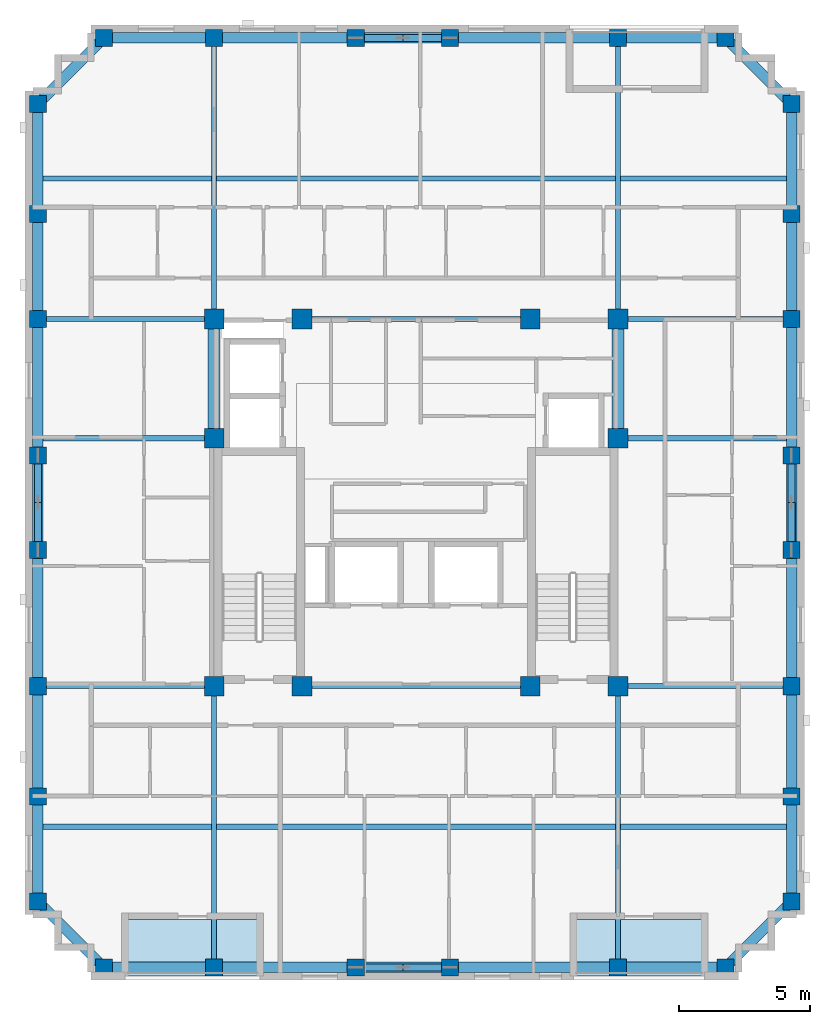
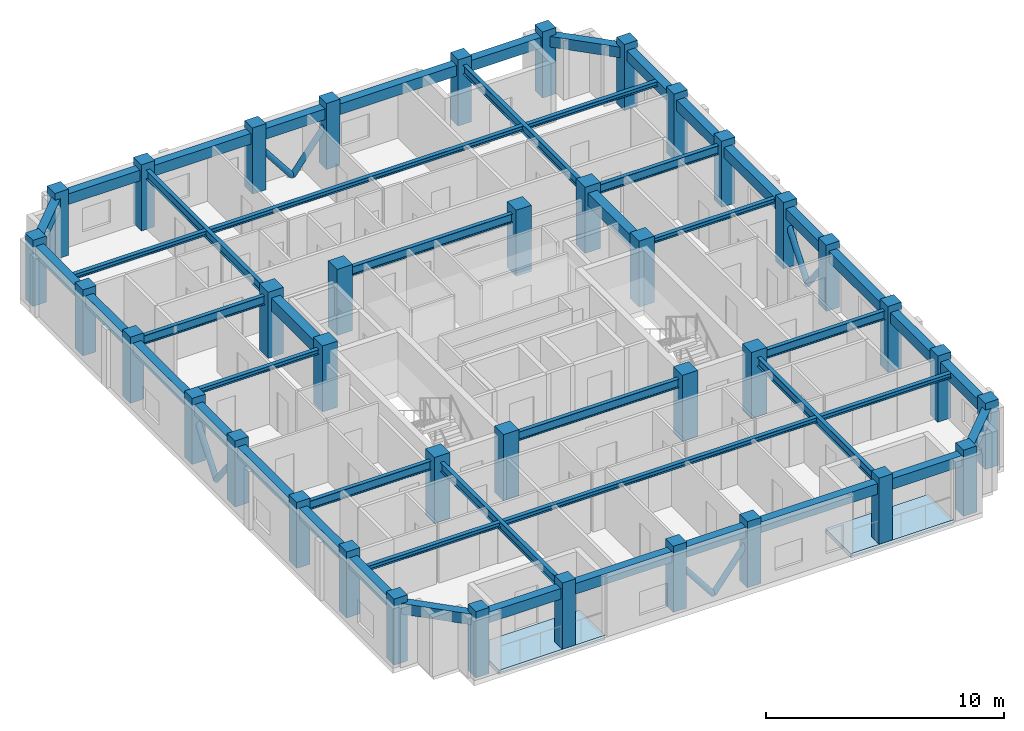
# One storey, part 1 of 11: 48 beams, 38 columns, 8 members, 2 slabs.
"""IFC4 building model written with IfcOpenShell, lengths in metres."""

from ifc_helpers import new_model, si_unit, derived_unit, direction, frame, origin, origin_2d, place, context, subcontext, project, spatial, polyline, rectangle, hollow_circle, i_section, outline, extrude, material, layer, layer_set, material_profile, profile_set, type_object, element, save


model = new_model("IFC4")

# Units and contexts
model_context = context("Model", 3, precision=1e-05, world=origin(), true_north=direction((0.0, 1.0)))
body_context = subcontext(model_context, "Body", "Model", "MODEL_VIEW")
ifc_project = project(units=[si_unit("LENGTHUNIT", "METRE"), si_unit("AREAUNIT", "SQUARE_METRE"), si_unit("VOLUMEUNIT", "CUBIC_METRE"), si_unit("PLANEANGLEUNIT", "RADIAN"), si_unit("MASSUNIT", "GRAM", prefix="KILO"), derived_unit("THERMALTRANSMITTANCEUNIT", [(si_unit("MASSUNIT", "GRAM", prefix="KILO"), 1), (si_unit("TIMEUNIT", "SECOND"), -3), (si_unit("THERMODYNAMICTEMPERATUREUNIT", "KELVIN"), -1)])], contexts=[model_context])

# Site, building, storey
site_placement = place(None, origin())
site = spatial("IfcSite", under=ifc_project, at=site_placement, CompositionType="ELEMENT")
building_placement = place(site_placement, origin())
building = spatial("IfcBuilding", under=site, at=building_placement, Name="Korrvale Station Residences", CompositionType="ELEMENT")
storey_placement = place(building_placement, frame((0.0, 0.0, 258.10009765625)))
storey = spatial("IfcBuildingStorey", under=building, at=storey_placement, Name="L75", CompositionType="ELEMENT", Elevation=258.10009765625)

# Columns
ifc_material_1 = material(Name="Concrete C50/60", Category="concrete")
ifc_material_profile_1 = material_profile(ifc_material_1, rectangle(XDim=0.64990234375, YDim=0.64990234375, at=origin_2d()), Name="RC650x650")
ifc_profile_set_1 = profile_set([ifc_material_profile_1], Name="Concrete C50/60")
column_type_1 = type_object("IfcColumnType", Name="COL-C-RC650x650-C5060", PredefinedType="COLUMN", material=ifc_profile_set_1)
for number, where, z_axis, x_axis, name in (
    (1, (13.60009765625, 4.280029296875, 0.0), (0.0, 0.0, 1.0), (1.0, 0.0, 0.0), "L75 Bundled-Tube South Column 01"),
    (2, (17.800048828125, 4.280029296875, 0.0), (0.0, 0.0, 1.0), (1.0, 0.0, 0.0), "L75 Bundled-Tube South Column 02"),
    (3, (23.199951171875, 4.280029296875, 0.0), (0.0, 0.0, 1.0), (1.0, 0.0, 0.0), "L75 Bundled-Tube South Column 03"),
    (4, (26.800048828125, 4.280029296875, 0.0), (0.0, 0.0, 1.0), (1.0, 0.0, 0.0), "L75 Bundled-Tube South Column 04"),
    (5, (33.199951171875, 4.280029296875, 0.0), (0.0, 0.0, 1.0), (1.0, 0.0, 0.0), "L75 Bundled-Tube South Column 05"),
    (6, (37.300048828125, 4.280029296875, 0.0), (0.0, 0.0, 1.0), (1.0, 0.0, 0.0), "L75 Bundled-Tube South Column 06"),
    (7, (13.60009765625, 39.719970703125, 0.0), (0.0, 0.0, 1.0), (1.0, 0.0, 0.0), "L75 Bundled-Tube North Column 07"),
    (8, (17.800048828125, 39.719970703125, 0.0), (0.0, 0.0, 1.0), (1.0, 0.0, 0.0), "L75 Bundled-Tube North Column 08"),
    (9, (23.199951171875, 39.719970703125, 0.0), (0.0, 0.0, 1.0), (1.0, 0.0, 0.0), "L75 Bundled-Tube North Column 09"),
    (10, (26.800048828125, 39.719970703125, 0.0), (0.0, 0.0, 1.0), (1.0, 0.0, 0.0), "L75 Bundled-Tube North Column 10"),
    (11, (33.199951171875, 39.719970703125, 0.0), (0.0, 0.0, 1.0), (1.0, 0.0, 0.0), "L75 Bundled-Tube North Column 11"),
    (12, (37.300048828125, 39.719970703125, 0.0), (0.0, 0.0, 1.0), (1.0, 0.0, 0.0), "L75 Bundled-Tube North Column 12"),
    (13, (11.080078125, 6.800048828125, 0.0), (0.0, 0.0, 1.0), (1.0, 0.0, 0.0), "L75 Bundled-Tube West Column 13"),
    (14, (11.080078125, 10.800048828125, 0.0), (0.0, 0.0, 1.0), (1.0, 0.0, 0.0), "L75 Bundled-Tube West Column 14"),
    (15, (11.080078125, 15.0, 0.0), (0.0, 0.0, 1.0), (1.0, 0.0, 0.0), "L75 Bundled-Tube West Column 15"),
    (16, (11.080078125, 20.199951171875, 0.0), (0.0, 0.0, 1.0), (1.0, 0.0, 0.0), "L75 Bundled-Tube West Column 16"),
    (17, (11.080078125, 23.800048828125, 0.0), (0.0, 0.0, 1.0), (1.0, 0.0, 0.0), "L75 Bundled-Tube West Column 17"),
    (18, (11.080078125, 29.0, 0.0), (0.0, 0.0, 1.0), (1.0, 0.0, 0.0), "L75 Bundled-Tube West Column 18"),
    (19, (11.080078125, 33.0, 0.0), (0.0, 0.0, 1.0), (1.0, 0.0, 0.0), "L75 Bundled-Tube West Column 19"),
    (20, (11.080078125, 37.199951171875, 0.0), (0.0, 0.0, 1.0), (1.0, 0.0, 0.0), "L75 Bundled-Tube West Column 20"),
    (21, (39.820068359375, 6.800048828125, 0.0), (0.0, 0.0, 1.0), (1.0, 0.0, 0.0), "L75 Bundled-Tube East Column 21"),
    (22, (39.820068359375, 10.800048828125, 0.0), (0.0, 0.0, 1.0), (1.0, 0.0, 0.0), "L75 Bundled-Tube East Column 22"),
    (23, (39.820068359375, 15.0, 0.0), (0.0, 0.0, 1.0), (1.0, 0.0, 0.0), "L75 Bundled-Tube East Column 23"),
    (24, (39.820068359375, 20.199951171875, 0.0), (0.0, 0.0, 1.0), (1.0, 0.0, 0.0), "L75 Bundled-Tube East Column 24"),
    (25, (39.820068359375, 23.800048828125, 0.0), (0.0, 0.0, 1.0), (1.0, 0.0, 0.0), "L75 Bundled-Tube East Column 25"),
    (26, (39.820068359375, 29.0, 0.0), (0.0, 0.0, 1.0), (1.0, 0.0, 0.0), "L75 Bundled-Tube East Column 26"),
    (27, (39.820068359375, 33.0, 0.0), (0.0, 0.0, 1.0), (1.0, 0.0, 0.0), "L75 Bundled-Tube East Column 27"),
    (28, (39.820068359375, 37.199951171875, 0.0), (0.0, 0.0, 1.0), (1.0, 0.0, 0.0), "L75 Bundled-Tube East Column 28"),
):
    element("IfcColumn", number, at=place(storey_placement, frame(where, z_axis=z_axis, x_axis=x_axis)), inside=storey, type_object=column_type_1, Name=name, PredefinedType="COLUMN", context=body_context, shape_type="SweptSolid", body=[
        extrude(rectangle(XDim=0.64990234375, YDim=0.64990234375, at=origin_2d()), origin(), (0.0, 0.0, 1.0), 3.39990234375),
    ])
ifc_material_profile_2 = material_profile(ifc_material_1, rectangle(XDim=0.75, YDim=0.75, at=origin_2d()), Name="RC750x750")
ifc_profile_set_2 = profile_set([ifc_material_profile_2], Name="Concrete C50/60")
column_type_2 = type_object("IfcColumnType", Name="COL-C-RC750x750-C5060", PredefinedType="COLUMN", material=ifc_profile_set_2)
for number, where, z_axis, x_axis, name in (
    (29, (17.800048828125, 15.0, 0.0), (0.0, 0.0, 1.0), (1.0, 0.0, 0.0), "L75 Core Column 01"),
    (30, (21.14990234375, 15.0, 0.0), (0.0, 0.0, 1.0), (1.0, 0.0, 0.0), "L75 Core Column 02"),
    (31, (29.85009765625, 15.0, 0.0), (0.0, 0.0, 1.0), (1.0, 0.0, 0.0), "L75 Core Column 03"),
    (32, (33.199951171875, 15.0, 0.0), (0.0, 0.0, 1.0), (1.0, 0.0, 0.0), "L75 Core Column 04"),
    (33, (17.800048828125, 29.0, 0.0), (0.0, 0.0, 1.0), (1.0, 0.0, 0.0), "L75 Core Column 05"),
    (34, (21.14990234375, 29.0, 0.0), (0.0, 0.0, 1.0), (1.0, 0.0, 0.0), "L75 Core Column 06"),
    (35, (29.85009765625, 29.0, 0.0), (0.0, 0.0, 1.0), (1.0, 0.0, 0.0), "L75 Core Column 07"),
    (36, (33.199951171875, 29.0, 0.0), (0.0, 0.0, 1.0), (1.0, 0.0, 0.0), "L75 Core Column 08"),
    (37, (17.800048828125, 24.449951171875, 0.0), (0.0, 0.0, 1.0), (1.0, 0.0, 0.0), "L75 Core Column 09"),
    (38, (33.199951171875, 24.449951171875, 0.0), (0.0, 0.0, 1.0), (1.0, 0.0, 0.0), "L75 Core Column 10"),
):
    element("IfcColumn", number, at=place(storey_placement, frame(where, z_axis=z_axis, x_axis=x_axis)), inside=storey, type_object=column_type_2, Name=name, PredefinedType="COLUMN", context=body_context, shape_type="SweptSolid", body=[
        extrude(rectangle(XDim=0.75, YDim=0.75, at=origin_2d()), origin(), (0.0, 0.0, 1.0), 3.39990234375),
    ])

# Beams
ifc_material_2 = material(Name="Steel S355", Category="steel")
ifc_material_profile_3 = material_profile(ifc_material_2, i_section(OverallWidth=0.18994140625, OverallDepth=0.45703125, WebThickness=0.009033203125, FlangeThickness=0.014404296875, FilletRadius=0.01611328125, at=origin_2d()), Name="W460x74")
ifc_profile_set_3 = profile_set([ifc_material_profile_3], Name="Steel S355")
beam_type_1 = type_object("IfcBeamType", Name="BM-BM-W460x74-S355", PredefinedType="BEAM", material=ifc_profile_set_3)
for number, where, z_axis, x_axis, name in (
    (39, (17.800048828125, 4.280029296875, 2.8212890625), (0.0, 1.0, 0.0), (-1.0, 0.0, 0.0), "L75 Bundled-Tube Web Girder 01"),
    (40, (33.199951171875, 4.280029296875, 2.8212890625), (0.0, 1.0, 0.0), (-1.0, 0.0, 0.0), "L75 Bundled-Tube Web Girder 02"),
    (41, (17.800048828125, 29.0, 2.8212890625), (0.0, 1.0, 0.0), (-1.0, 0.0, 0.0), "L75 Bundled-Tube Web Girder 03"),
    (42, (33.199951171875, 29.0, 2.8212890625), (0.0, 1.0, 0.0), (-1.0, 0.0, 0.0), "L75 Bundled-Tube Web Girder 04"),
):
    element("IfcBeam", number, at=place(storey_placement, frame(where, z_axis=z_axis, x_axis=x_axis)), inside=storey, type_object=beam_type_1, Name=name, PredefinedType="BEAM", context=body_context, shape_type="SweptSolid", body=[
        extrude(i_section(OverallWidth=0.18994140625, OverallDepth=0.45703125, WebThickness=0.009033203125, FlangeThickness=0.014404296875, FilletRadius=0.01611328125, at=origin_2d()), origin(), (0.0, 0.0, 1.0), 10.719970703125),
    ])
beam_1_placement = place(storey_placement, frame((11.080078125, 15.0, 2.8212890625), z_axis=(1.0, 0.0, 0.0), x_axis=(0.0, 1.0, 0.0)))
element("IfcBeam", 43, at=beam_1_placement, inside=storey, type_object=beam_type_1, Name="L75 Bundled-Tube Web Girder 05", PredefinedType="BEAM", context=body_context, shape_type="SweptSolid", body=[
    extrude(i_section(OverallWidth=0.18994140625, OverallDepth=0.45703125, WebThickness=0.009033203125, FlangeThickness=0.014404296875, FilletRadius=0.01611328125, at=origin_2d()), origin(), (0.0, 0.0, 1.0), 6.719970703125),
])
beam_2_placement = place(storey_placement, frame((33.199951171875, 15.0, 2.8212890625), z_axis=(1.0, 0.0, 0.0), x_axis=(0.0, 1.0, 0.0)))
element("IfcBeam", 44, at=beam_2_placement, inside=storey, type_object=beam_type_1, Name="L75 Bundled-Tube Web Girder 06", PredefinedType="BEAM", context=body_context, shape_type="SweptSolid", body=[
    extrude(i_section(OverallWidth=0.18994140625, OverallDepth=0.45703125, WebThickness=0.009033203125, FlangeThickness=0.014404296875, FilletRadius=0.01611328125, at=origin_2d()), origin(), (0.0, 0.0, 1.0), 6.6201171875),
])
beam_3_placement = place(storey_placement, frame((11.080078125, 29.0, 2.8212890625), z_axis=(1.0, 0.0, 0.0), x_axis=(0.0, 1.0, 0.0)))
element("IfcBeam", 45, at=beam_3_placement, inside=storey, type_object=beam_type_1, Name="L75 Bundled-Tube Web Girder 07", PredefinedType="BEAM", context=body_context, shape_type="SweptSolid", body=[
    extrude(i_section(OverallWidth=0.18994140625, OverallDepth=0.45703125, WebThickness=0.009033203125, FlangeThickness=0.014404296875, FilletRadius=0.01611328125, at=origin_2d()), origin(), (0.0, 0.0, 1.0), 6.719970703125),
])
beam_4_placement = place(storey_placement, frame((33.199951171875, 29.0, 2.8212890625), z_axis=(1.0, 0.0, 0.0), x_axis=(0.0, 1.0, 0.0)))
element("IfcBeam", 46, at=beam_4_placement, inside=storey, type_object=beam_type_1, Name="L75 Bundled-Tube Web Girder 08", PredefinedType="BEAM", context=body_context, shape_type="SweptSolid", body=[
    extrude(i_section(OverallWidth=0.18994140625, OverallDepth=0.45703125, WebThickness=0.009033203125, FlangeThickness=0.014404296875, FilletRadius=0.01611328125, at=origin_2d()), origin(), (0.0, 0.0, 1.0), 6.6201171875),
])
for number, where, z_axis, x_axis, name in (
    (47, (21.14990234375, 15.0, 2.8212890625), (1.0, 0.0, 0.0), (0.0, 1.0, 0.0), "L75 Bundled-Tube Web Girder 09"),
    (48, (21.14990234375, 29.0, 2.8212890625), (1.0, 0.0, 0.0), (0.0, 1.0, 0.0), "L75 Bundled-Tube Web Girder 10"),
):
    element("IfcBeam", number, at=place(storey_placement, frame(where, z_axis=z_axis, x_axis=x_axis)), inside=storey, type_object=beam_type_1, Name=name, PredefinedType="BEAM", context=body_context, shape_type="SweptSolid", body=[
        extrude(i_section(OverallWidth=0.18994140625, OverallDepth=0.45703125, WebThickness=0.009033203125, FlangeThickness=0.014404296875, FilletRadius=0.01611328125, at=origin_2d()), origin(), (0.0, 0.0, 1.0), 8.7001953125),
    ])
ifc_material_profile_4 = material_profile(ifc_material_2, i_section(OverallWidth=0.201904296875, OverallDepth=0.2470703125, WebThickness=0.00732421875, FlangeThickness=0.010986328125, FilletRadius=0.012939453125, at=origin_2d()), Name="W250x49")
ifc_profile_set_4 = profile_set([ifc_material_profile_4], Name="Steel S355")
beam_type_2 = type_object("IfcBeamType", Name="BM-JST-W250x49-S355", PredefinedType="JOIST", material=ifc_profile_set_4)
beam_5_placement = place(storey_placement, frame((11.280029296875, 9.639892578125, 2.926513671875), z_axis=(1.0, 0.0, 0.0), x_axis=(0.0, 1.0, 0.0)))
element("IfcBeam", 49, at=beam_5_placement, inside=storey, type_object=beam_type_2, Name="L75 Floor Framing Joist 01", PredefinedType="JOIST", context=body_context, shape_type="SweptSolid", body=[
    extrude(i_section(OverallWidth=0.201904296875, OverallDepth=0.2470703125, WebThickness=0.00732421875, FlangeThickness=0.010986328125, FilletRadius=0.012939453125, at=origin_2d()), origin(), (0.0, 0.0, 1.0), 6.425048828125),
])
beam_6_placement = place(storey_placement, frame((17.89501953125, 9.639892578125, 2.926513671875), z_axis=(1.0, 0.0, 0.0), x_axis=(0.0, 1.0, 0.0)))
element("IfcBeam", 50, at=beam_6_placement, inside=storey, type_object=beam_type_2, Name="L75 Floor Framing Joist 02", PredefinedType="JOIST", context=body_context, shape_type="SweptSolid", body=[
    extrude(i_section(OverallWidth=0.201904296875, OverallDepth=0.2470703125, WebThickness=0.00732421875, FlangeThickness=0.010986328125, FilletRadius=0.012939453125, at=origin_2d()), origin(), (0.0, 0.0, 1.0), 15.2099609375),
])
beam_7_placement = place(storey_placement, frame((33.294921875, 9.639892578125, 2.926513671875), z_axis=(1.0, 0.0, 0.0), x_axis=(0.0, 1.0, 0.0)))
element("IfcBeam", 51, at=beam_7_placement, inside=storey, type_object=beam_type_2, Name="L75 Floor Framing Joist 03", PredefinedType="JOIST", context=body_context, shape_type="SweptSolid", body=[
    extrude(i_section(OverallWidth=0.201904296875, OverallDepth=0.2470703125, WebThickness=0.00732421875, FlangeThickness=0.010986328125, FilletRadius=0.012939453125, at=origin_2d()), origin(), (0.0, 0.0, 1.0), 6.3251953125),
])
beam_8_placement = place(storey_placement, frame((11.280029296875, 34.360107421875, 2.926513671875), z_axis=(1.0, 0.0, 0.0), x_axis=(0.0, 1.0, 0.0)))
element("IfcBeam", 52, at=beam_8_placement, inside=storey, type_object=beam_type_2, Name="L75 Floor Framing Joist 04", PredefinedType="JOIST", context=body_context, shape_type="SweptSolid", body=[
    extrude(i_section(OverallWidth=0.201904296875, OverallDepth=0.2470703125, WebThickness=0.00732421875, FlangeThickness=0.010986328125, FilletRadius=0.012939453125, at=origin_2d()), origin(), (0.0, 0.0, 1.0), 6.425048828125),
])
beam_9_placement = place(storey_placement, frame((17.89501953125, 34.360107421875, 2.926513671875), z_axis=(1.0, 0.0, 0.0), x_axis=(0.0, 1.0, 0.0)))
element("IfcBeam", 53, at=beam_9_placement, inside=storey, type_object=beam_type_2, Name="L75 Floor Framing Joist 05", PredefinedType="JOIST", context=body_context, shape_type="SweptSolid", body=[
    extrude(i_section(OverallWidth=0.201904296875, OverallDepth=0.2470703125, WebThickness=0.00732421875, FlangeThickness=0.010986328125, FilletRadius=0.012939453125, at=origin_2d()), origin(), (0.0, 0.0, 1.0), 15.2099609375),
])
beam_10_placement = place(storey_placement, frame((33.294921875, 34.360107421875, 2.926513671875), z_axis=(1.0, 0.0, 0.0), x_axis=(0.0, 1.0, 0.0)))
element("IfcBeam", 54, at=beam_10_placement, inside=storey, type_object=beam_type_2, Name="L75 Floor Framing Joist 06", PredefinedType="JOIST", context=body_context, shape_type="SweptSolid", body=[
    extrude(i_section(OverallWidth=0.201904296875, OverallDepth=0.2470703125, WebThickness=0.00732421875, FlangeThickness=0.010986328125, FilletRadius=0.012939453125, at=origin_2d()), origin(), (0.0, 0.0, 1.0), 6.3251953125),
])
beam_11_placement = place(storey_placement, frame((33.425048828125, 24.449951171875, 2.926513671875), z_axis=(1.0, 0.0, 0.0), x_axis=(0.0, 1.0, 0.0)))
element("IfcBeam", 55, at=beam_11_placement, inside=storey, type_object=beam_type_2, Name="L75 Floor Framing Joist 07", PredefinedType="JOIST", context=body_context, shape_type="SweptSolid", body=[
    extrude(i_section(OverallWidth=0.201904296875, OverallDepth=0.2470703125, WebThickness=0.00732421875, FlangeThickness=0.010986328125, FilletRadius=0.012939453125, at=origin_2d()), origin(), (0.0, 0.0, 1.0), 6.195068359375),
])
beam_12_placement = place(storey_placement, frame((11.280029296875, 24.449951171875, 2.926513671875), z_axis=(1.0, 0.0, 0.0), x_axis=(0.0, 1.0, 0.0)))
element("IfcBeam", 56, at=beam_12_placement, inside=storey, type_object=beam_type_2, Name="L75 Floor Framing Joist 08", PredefinedType="JOIST", context=body_context, shape_type="SweptSolid", body=[
    extrude(i_section(OverallWidth=0.201904296875, OverallDepth=0.2470703125, WebThickness=0.00732421875, FlangeThickness=0.010986328125, FilletRadius=0.012939453125, at=origin_2d()), origin(), (0.0, 0.0, 1.0), 6.294921875),
])
ifc_material_profile_5 = material_profile(ifc_material_1, rectangle(XDim=0.449951171875, YDim=0.64990234375, at=origin_2d()), Name="RCB450x650")
ifc_profile_set_5 = profile_set([ifc_material_profile_5], Name="Concrete C50/60")
beam_type_3 = type_object("IfcBeamType", Name="BM-LNT-RCB450x650-C5060", PredefinedType="LINTEL", material=ifc_profile_set_5)
for number, where, z_axis, x_axis, name in (
    (57, (17.800048828125, 24.449951171875, 2.724853515625), (0.0, 1.0, 0.0), (-1.0, 0.0, 0.0), "L75 Core Coupling Lintel 1"),
    (58, (33.199951171875, 24.449951171875, 2.724853515625), (0.0, 1.0, 0.0), (-1.0, 0.0, 0.0), "L75 Core Coupling Lintel 2"),
):
    element("IfcBeam", number, at=place(storey_placement, frame(where, z_axis=z_axis, x_axis=x_axis)), inside=storey, type_object=beam_type_3, Name=name, PredefinedType="LINTEL", context=body_context, shape_type="SweptSolid", body=[
        extrude(rectangle(XDim=0.449951171875, YDim=0.64990234375, at=origin_2d()), origin(), (0.0, 0.0, 1.0), 4.550048828125),
    ])
ifc_material_profile_6 = material_profile(ifc_material_1, rectangle(XDim=0.39990234375, YDim=0.550048828125, at=origin_2d()), Name="RCB400x550")
ifc_profile_set_6 = profile_set([ifc_material_profile_6], Name="Concrete C50/60")
beam_type_4 = type_object("IfcBeamType", Name="BM-SPB-RCB400x550-C5060", PredefinedType="SPANDREL", material=ifc_profile_set_6)
beam_13_placement = place(storey_placement, frame((13.60009765625, 4.280029296875, 2.77490234375), z_axis=(1.0, 0.0, 0.0), x_axis=(0.0, 1.0, 0.0)))
element("IfcBeam", 59, at=beam_13_placement, inside=storey, type_object=beam_type_4, Name="L75 South Tube Spandrel 01", PredefinedType="SPANDREL", context=body_context, shape_type="SweptSolid", body=[
    extrude(rectangle(XDim=0.39990234375, YDim=0.550048828125, at=origin_2d()), origin(), (0.0, 0.0, 1.0), 4.199951171875),
])
beam_14_placement = place(storey_placement, frame((17.800048828125, 4.280029296875, 2.77490234375), z_axis=(1.0, 0.0, 0.0), x_axis=(0.0, 1.0, 0.0)))
element("IfcBeam", 60, at=beam_14_placement, inside=storey, type_object=beam_type_4, Name="L75 South Tube Spandrel 02", PredefinedType="SPANDREL", context=body_context, shape_type="SweptSolid", body=[
    extrude(rectangle(XDim=0.39990234375, YDim=0.550048828125, at=origin_2d()), origin(), (0.0, 0.0, 1.0), 5.39990234375),
])
beam_15_placement = place(storey_placement, frame((23.199951171875, 4.280029296875, 2.77490234375), z_axis=(1.0, 0.0, 0.0), x_axis=(0.0, 1.0, 0.0)))
element("IfcBeam", 61, at=beam_15_placement, inside=storey, type_object=beam_type_4, Name="L75 South Tube Spandrel 03", PredefinedType="SPANDREL", context=body_context, shape_type="SweptSolid", body=[
    extrude(rectangle(XDim=0.39990234375, YDim=0.550048828125, at=origin_2d()), origin(), (0.0, 0.0, 1.0), 3.60009765625),
])
beam_16_placement = place(storey_placement, frame((26.800048828125, 4.280029296875, 2.77490234375), z_axis=(1.0, 0.0, 0.0), x_axis=(0.0, 1.0, 0.0)))
element("IfcBeam", 62, at=beam_16_placement, inside=storey, type_object=beam_type_4, Name="L75 South Tube Spandrel 04", PredefinedType="SPANDREL", context=body_context, shape_type="SweptSolid", body=[
    extrude(rectangle(XDim=0.39990234375, YDim=0.550048828125, at=origin_2d()), origin(), (0.0, 0.0, 1.0), 6.39990234375),
])
beam_17_placement = place(storey_placement, frame((33.199951171875, 4.280029296875, 2.77490234375), z_axis=(1.0, 0.0, 0.0), x_axis=(0.0, 1.0, 0.0)))
element("IfcBeam", 63, at=beam_17_placement, inside=storey, type_object=beam_type_4, Name="L75 South Tube Spandrel 05", PredefinedType="SPANDREL", context=body_context, shape_type="SweptSolid", body=[
    extrude(rectangle(XDim=0.39990234375, YDim=0.550048828125, at=origin_2d()), origin(), (0.0, 0.0, 1.0), 4.10009765625),
])
beam_18_placement = place(storey_placement, frame((13.60009765625, 39.719970703125, 2.77490234375), z_axis=(1.0, 0.0, 0.0), x_axis=(0.0, 1.0, 0.0)))
element("IfcBeam", 64, at=beam_18_placement, inside=storey, type_object=beam_type_4, Name="L75 North Tube Spandrel 06", PredefinedType="SPANDREL", context=body_context, shape_type="SweptSolid", body=[
    extrude(rectangle(XDim=0.39990234375, YDim=0.550048828125, at=origin_2d()), origin(), (0.0, 0.0, 1.0), 4.199951171875),
])
beam_19_placement = place(storey_placement, frame((17.800048828125, 39.719970703125, 2.77490234375), z_axis=(1.0, 0.0, 0.0), x_axis=(0.0, 1.0, 0.0)))
element("IfcBeam", 65, at=beam_19_placement, inside=storey, type_object=beam_type_4, Name="L75 North Tube Spandrel 07", PredefinedType="SPANDREL", context=body_context, shape_type="SweptSolid", body=[
    extrude(rectangle(XDim=0.39990234375, YDim=0.550048828125, at=origin_2d()), origin(), (0.0, 0.0, 1.0), 5.39990234375),
])
beam_20_placement = place(storey_placement, frame((23.199951171875, 39.719970703125, 2.77490234375), z_axis=(1.0, 0.0, 0.0), x_axis=(0.0, 1.0, 0.0)))
element("IfcBeam", 66, at=beam_20_placement, inside=storey, type_object=beam_type_4, Name="L75 North Tube Spandrel 08", PredefinedType="SPANDREL", context=body_context, shape_type="SweptSolid", body=[
    extrude(rectangle(XDim=0.39990234375, YDim=0.550048828125, at=origin_2d()), origin(), (0.0, 0.0, 1.0), 3.60009765625),
])
beam_21_placement = place(storey_placement, frame((26.800048828125, 39.719970703125, 2.77490234375), z_axis=(1.0, 0.0, 0.0), x_axis=(0.0, 1.0, 0.0)))
element("IfcBeam", 67, at=beam_21_placement, inside=storey, type_object=beam_type_4, Name="L75 North Tube Spandrel 09", PredefinedType="SPANDREL", context=body_context, shape_type="SweptSolid", body=[
    extrude(rectangle(XDim=0.39990234375, YDim=0.550048828125, at=origin_2d()), origin(), (0.0, 0.0, 1.0), 6.39990234375),
])
beam_22_placement = place(storey_placement, frame((33.199951171875, 39.719970703125, 2.77490234375), z_axis=(1.0, 0.0, 0.0), x_axis=(0.0, 1.0, 0.0)))
element("IfcBeam", 68, at=beam_22_placement, inside=storey, type_object=beam_type_4, Name="L75 North Tube Spandrel 10", PredefinedType="SPANDREL", context=body_context, shape_type="SweptSolid", body=[
    extrude(rectangle(XDim=0.39990234375, YDim=0.550048828125, at=origin_2d()), origin(), (0.0, 0.0, 1.0), 4.10009765625),
])
beam_23_placement = place(storey_placement, frame((11.080078125, 6.800048828125, 2.77490234375), z_axis=(0.0, 1.0, 0.0), x_axis=(-1.0, 0.0, 0.0)))
element("IfcBeam", 69, at=beam_23_placement, inside=storey, type_object=beam_type_4, Name="L75 West Tube Spandrel 11", PredefinedType="SPANDREL", context=body_context, shape_type="SweptSolid", body=[
    extrude(rectangle(XDim=0.39990234375, YDim=0.550048828125, at=origin_2d()), origin(), (0.0, 0.0, 1.0), 4.0),
])
beam_24_placement = place(storey_placement, frame((11.080078125, 10.800048828125, 2.77490234375), z_axis=(0.0, 1.0, 0.0), x_axis=(-1.0, 0.0, 0.0)))
element("IfcBeam", 70, at=beam_24_placement, inside=storey, type_object=beam_type_4, Name="L75 West Tube Spandrel 12", PredefinedType="SPANDREL", context=body_context, shape_type="SweptSolid", body=[
    extrude(rectangle(XDim=0.39990234375, YDim=0.550048828125, at=origin_2d()), origin(), (0.0, 0.0, 1.0), 4.199951171875),
])
beam_25_placement = place(storey_placement, frame((11.080078125, 15.0, 2.77490234375), z_axis=(0.0, 1.0, 0.0), x_axis=(-1.0, 0.0, 0.0)))
element("IfcBeam", 71, at=beam_25_placement, inside=storey, type_object=beam_type_4, Name="L75 West Tube Spandrel 13", PredefinedType="SPANDREL", context=body_context, shape_type="SweptSolid", body=[
    extrude(rectangle(XDim=0.39990234375, YDim=0.550048828125, at=origin_2d()), origin(), (0.0, 0.0, 1.0), 5.199951171875),
])
beam_26_placement = place(storey_placement, frame((11.080078125, 20.199951171875, 2.77490234375), z_axis=(0.0, 1.0, 0.0), x_axis=(-1.0, 0.0, 0.0)))
element("IfcBeam", 72, at=beam_26_placement, inside=storey, type_object=beam_type_4, Name="L75 West Tube Spandrel 14", PredefinedType="SPANDREL", context=body_context, shape_type="SweptSolid", body=[
    extrude(rectangle(XDim=0.39990234375, YDim=0.550048828125, at=origin_2d()), origin(), (0.0, 0.0, 1.0), 3.60009765625),
])
beam_27_placement = place(storey_placement, frame((11.080078125, 23.800048828125, 2.77490234375), z_axis=(0.0, 1.0, 0.0), x_axis=(-1.0, 0.0, 0.0)))
element("IfcBeam", 73, at=beam_27_placement, inside=storey, type_object=beam_type_4, Name="L75 West Tube Spandrel 15", PredefinedType="SPANDREL", context=body_context, shape_type="SweptSolid", body=[
    extrude(rectangle(XDim=0.39990234375, YDim=0.550048828125, at=origin_2d()), origin(), (0.0, 0.0, 1.0), 5.199951171875),
])
beam_28_placement = place(storey_placement, frame((11.080078125, 29.0, 2.77490234375), z_axis=(0.0, 1.0, 0.0), x_axis=(-1.0, 0.0, 0.0)))
element("IfcBeam", 74, at=beam_28_placement, inside=storey, type_object=beam_type_4, Name="L75 West Tube Spandrel 16", PredefinedType="SPANDREL", context=body_context, shape_type="SweptSolid", body=[
    extrude(rectangle(XDim=0.39990234375, YDim=0.550048828125, at=origin_2d()), origin(), (0.0, 0.0, 1.0), 4.0),
])
beam_29_placement = place(storey_placement, frame((11.080078125, 33.0, 2.77490234375), z_axis=(0.0, 1.0, 0.0), x_axis=(-1.0, 0.0, 0.0)))
element("IfcBeam", 75, at=beam_29_placement, inside=storey, type_object=beam_type_4, Name="L75 West Tube Spandrel 17", PredefinedType="SPANDREL", context=body_context, shape_type="SweptSolid", body=[
    extrude(rectangle(XDim=0.39990234375, YDim=0.550048828125, at=origin_2d()), origin(), (0.0, 0.0, 1.0), 4.199951171875),
])
beam_30_placement = place(storey_placement, frame((39.820068359375, 6.800048828125, 2.77490234375), z_axis=(0.0, 1.0, 0.0), x_axis=(-1.0, 0.0, 0.0)))
element("IfcBeam", 76, at=beam_30_placement, inside=storey, type_object=beam_type_4, Name="L75 East Tube Spandrel 18", PredefinedType="SPANDREL", context=body_context, shape_type="SweptSolid", body=[
    extrude(rectangle(XDim=0.39990234375, YDim=0.550048828125, at=origin_2d()), origin(), (0.0, 0.0, 1.0), 4.0),
])
beam_31_placement = place(storey_placement, frame((39.820068359375, 10.800048828125, 2.77490234375), z_axis=(0.0, 1.0, 0.0), x_axis=(-1.0, 0.0, 0.0)))
element("IfcBeam", 77, at=beam_31_placement, inside=storey, type_object=beam_type_4, Name="L75 East Tube Spandrel 19", PredefinedType="SPANDREL", context=body_context, shape_type="SweptSolid", body=[
    extrude(rectangle(XDim=0.39990234375, YDim=0.550048828125, at=origin_2d()), origin(), (0.0, 0.0, 1.0), 4.199951171875),
])
beam_32_placement = place(storey_placement, frame((39.820068359375, 15.0, 2.77490234375), z_axis=(0.0, 1.0, 0.0), x_axis=(-1.0, 0.0, 0.0)))
element("IfcBeam", 78, at=beam_32_placement, inside=storey, type_object=beam_type_4, Name="L75 East Tube Spandrel 20", PredefinedType="SPANDREL", context=body_context, shape_type="SweptSolid", body=[
    extrude(rectangle(XDim=0.39990234375, YDim=0.550048828125, at=origin_2d()), origin(), (0.0, 0.0, 1.0), 5.199951171875),
])
beam_33_placement = place(storey_placement, frame((39.820068359375, 20.199951171875, 2.77490234375), z_axis=(0.0, 1.0, 0.0), x_axis=(-1.0, 0.0, 0.0)))
element("IfcBeam", 79, at=beam_33_placement, inside=storey, type_object=beam_type_4, Name="L75 East Tube Spandrel 21", PredefinedType="SPANDREL", context=body_context, shape_type="SweptSolid", body=[
    extrude(rectangle(XDim=0.39990234375, YDim=0.550048828125, at=origin_2d()), origin(), (0.0, 0.0, 1.0), 3.60009765625),
])
beam_34_placement = place(storey_placement, frame((39.820068359375, 23.800048828125, 2.77490234375), z_axis=(0.0, 1.0, 0.0), x_axis=(-1.0, 0.0, 0.0)))
element("IfcBeam", 80, at=beam_34_placement, inside=storey, type_object=beam_type_4, Name="L75 East Tube Spandrel 22", PredefinedType="SPANDREL", context=body_context, shape_type="SweptSolid", body=[
    extrude(rectangle(XDim=0.39990234375, YDim=0.550048828125, at=origin_2d()), origin(), (0.0, 0.0, 1.0), 5.199951171875),
])
beam_35_placement = place(storey_placement, frame((39.820068359375, 29.0, 2.77490234375), z_axis=(0.0, 1.0, 0.0), x_axis=(-1.0, 0.0, 0.0)))
element("IfcBeam", 81, at=beam_35_placement, inside=storey, type_object=beam_type_4, Name="L75 East Tube Spandrel 23", PredefinedType="SPANDREL", context=body_context, shape_type="SweptSolid", body=[
    extrude(rectangle(XDim=0.39990234375, YDim=0.550048828125, at=origin_2d()), origin(), (0.0, 0.0, 1.0), 4.0),
])
beam_36_placement = place(storey_placement, frame((39.820068359375, 33.0, 2.77490234375), z_axis=(0.0, 1.0, 0.0), x_axis=(-1.0, 0.0, 0.0)))
element("IfcBeam", 82, at=beam_36_placement, inside=storey, type_object=beam_type_4, Name="L75 East Tube Spandrel 24", PredefinedType="SPANDREL", context=body_context, shape_type="SweptSolid", body=[
    extrude(rectangle(XDim=0.39990234375, YDim=0.550048828125, at=origin_2d()), origin(), (0.0, 0.0, 1.0), 4.199951171875),
])
for number, where, z_axis, x_axis, name in (
    (83, (13.60009765625, 4.280029296875, 2.77490234375), (-0.707106781187, 0.707106781187, 0.0), (-0.707106781187, -0.707106781187, 0.0), "L75 Serrated Corner Spandrel 25"),
    (84, (37.300048828125, 4.280029296875, 2.77490234375), (0.707106781187, 0.707106781187, 0.0), (-0.707106781187, 0.707106781187, 0.0), "L75 Serrated Corner Spandrel 26"),
    (85, (37.300048828125, 39.719970703125, 2.77490234375), (0.707106781187, -0.707106781187, 0.0), (0.707106781187, 0.707106781187, 0.0), "L75 Serrated Corner Spandrel 27"),
    (86, (13.60009765625, 39.719970703125, 2.77490234375), (-0.707106781187, -0.707106781187, 0.0), (0.707106781187, -0.707106781187, 0.0), "L75 Serrated Corner Spandrel 28"),
):
    element("IfcBeam", number, at=place(storey_placement, frame(where, z_axis=z_axis, x_axis=x_axis)), inside=storey, type_object=beam_type_4, Name=name, PredefinedType="SPANDREL", context=body_context, shape_type="SweptSolid", body=[
        extrude(rectangle(XDim=0.39990234375, YDim=0.550048828125, at=origin_2d()), origin(), (0.0, 0.0, 1.0), 3.56396484375),
    ])

# Members
ifc_material_profile_7 = material_profile(ifc_material_2, hollow_circle(Radius=0.136474609375, WallThickness=0.015869140625, at=origin_2d()), Name="HSS273x16")
ifc_profile_set_7 = profile_set([ifc_material_profile_7], Name="Steel S355")
member_type = type_object("IfcMemberType", Name="MBR-BR-HSS273x16", PredefinedType="BRACE", material=ifc_profile_set_7)
for number, where, z_axis, x_axis, name in (
    (87, (25.0, 4.280029296875, 0.02001953125), (-0.616351087617, 0.0, 0.787471483162), (0.0, -1.0, 0.0), "L75 S Perimeter Tube Wind Brace 1"),
    (88, (25.0, 4.280029296875, 0.02001953125), (0.616351087617, 0.0, 0.787471483162), (0.0, 1.0, 0.0), "L75 S Perimeter Tube Wind Brace 2"),
    (89, (25.0, 39.719970703125, 0.02001953125), (-0.616351087617, 0.0, 0.787471483162), (0.0, -1.0, 0.0), "L75 N Perimeter Tube Wind Brace 1"),
    (90, (25.0, 39.719970703125, 0.02001953125), (0.616351087617, 0.0, 0.787471483162), (0.0, 1.0, 0.0), "L75 N Perimeter Tube Wind Brace 2"),
    (91, (11.080078125, 22.0, 0.02001953125), (0.0, -0.616351087617, 0.787471483162), (1.0, 0.0, 0.0), "L75 W Perimeter Tube Wind Brace 1"),
    (92, (11.080078125, 22.0, 0.02001953125), (0.0, 0.616351087617, 0.787471483162), (-1.0, 0.0, 0.0), "L75 W Perimeter Tube Wind Brace 2"),
    (93, (39.820068359375, 22.0, 0.02001953125), (0.0, -0.616351087617, 0.787471483162), (1.0, 0.0, 0.0), "L75 E Perimeter Tube Wind Brace 1"),
    (94, (39.820068359375, 22.0, 0.02001953125), (0.0, 0.616351087617, 0.787471483162), (-1.0, 0.0, 0.0), "L75 E Perimeter Tube Wind Brace 2"),
):
    element("IfcMember", number, at=place(storey_placement, frame(where, z_axis=z_axis, x_axis=x_axis)), inside=storey, type_object=member_type, Name=name, PredefinedType="BRACE", context=body_context, shape_type="SweptSolid", body=[
        extrude(hollow_circle(Radius=0.136474609375, WallThickness=0.015869140625, at=origin_2d()), origin(), (0.0, 0.0, 1.0), 2.92041015625),
    ])

# Slabs
ifc_layer = layer(ifc_material_1, 0.219970703125, Name="Concrete C50/60")
ifc_layer_set = layer_set([ifc_layer], Name="Concrete C50/60")
slab_type = type_object("IfcSlabType", Name="SLB-BAL-220", PredefinedType="FLOOR", material=ifc_layer_set)
slab_1_placement = place(storey_placement, frame((0.0, 0.0, -0.22021484375)))
element("IfcSlab", 95, at=slab_1_placement, inside=storey, type_object=slab_type, Name="L75 Recessed Loggia Balcony Slab BAL-L75-S1", PredefinedType="FLOOR", context=body_context, shape_type="SweptSolid", body=[
    extrude(outline(polyline([(14.39990234375, 3.949951171875), (19.550048828125, 3.949951171875), (19.550048828125, 6.10009765625), (14.39990234375, 6.10009765625), (14.39990234375, 3.949951171875)])), origin(), (0.0, 0.0, 1.0), 0.22021484375),
])
slab_2_placement = place(storey_placement, frame((0.0, 0.0, -0.22021484375)))
element("IfcSlab", 96, at=slab_2_placement, inside=storey, type_object=slab_type, Name="L75 Recessed Loggia Balcony Slab BAL-L75-S2", PredefinedType="FLOOR", context=body_context, shape_type="SweptSolid", body=[
    extrude(outline(polyline([(31.5, 3.949951171875), (36.5, 3.949951171875), (36.5, 6.10009765625), (31.5, 6.10009765625), (31.5, 3.949951171875)])), origin(), (0.0, 0.0, 1.0), 0.22021484375),
])

save(model, "model.ifc")
